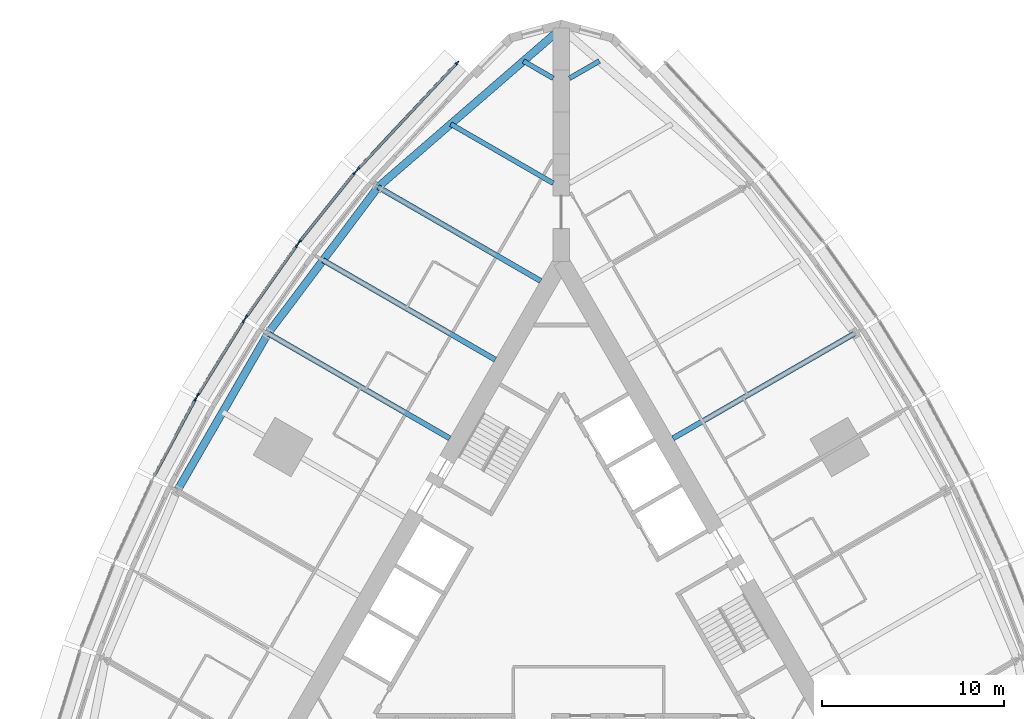
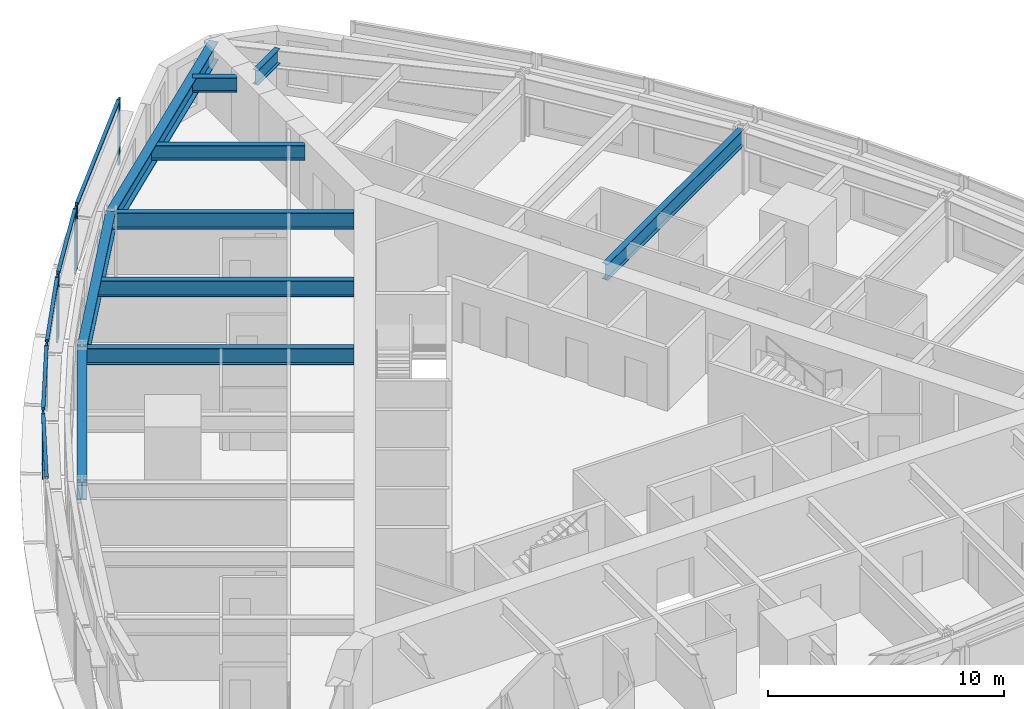
# One storey, part 4 of 14: 14 members, 10 beams, 5 elements without a shape of their own.
"""IFC4 building model written with IfcOpenShell, lengths in metres."""

from ifc_helpers import new_model, si_unit, direction, frame, origin, origin_2d, place, context, subcontext, project, spatial, rectangle, i_section, extrude, material, material_profile, profile_set, type_object, element, aggregate, save


model = new_model("IFC4")

# Units and contexts
model_context = context("Model", 3, precision=1e-05, world=origin(), true_north=direction((0.0, 1.0)))
body_context = subcontext(model_context, "Body", "Model", "MODEL_VIEW")
ifc_project = project(units=[si_unit("LENGTHUNIT", "METRE"), si_unit("AREAUNIT", "SQUARE_METRE"), si_unit("VOLUMEUNIT", "CUBIC_METRE"), si_unit("PLANEANGLEUNIT", "RADIAN"), si_unit("MASSUNIT", "GRAM", prefix="KILO")], contexts=[model_context])

# Site, building, storey
site_placement = place(None, origin())
site = spatial("IfcSite", under=ifc_project, at=site_placement, CompositionType="ELEMENT")
building_placement = place(site_placement, origin())
building = spatial("IfcBuilding", under=site, at=building_placement, Name="Trikona Tower", CompositionType="ELEMENT")
storey_placement = place(building_placement, frame((0.0, 0.0, 65.89990234375)))
storey = spatial("IfcBuildingStorey", under=building, at=storey_placement, Name="L16", CompositionType="ELEMENT", Elevation=65.89990234375)

# Curtain wall, members
ifc_material_1 = material(Name="Aluminium curtain wall system", Category="aluminium")
curtain_wall_type = type_object("IfcCurtainWallType", Name="Curtain wall DS1", PredefinedType="NOTDEFINED", material=ifc_material_1)
curtain_wall_1_placement = place(storey_placement, origin())
curtain_wall_1 = element("IfcCurtainWall", 1, at=curtain_wall_1_placement, inside=storey, type_object=curtain_wall_type, Name="Curtain wall DS1 L16", PredefinedType="NOTDEFINED")
ifc_material_2 = material(Name="Aluminium mullion, pale anodised", Category="aluminium")
ifc_material_profile_1 = material_profile(ifc_material_2, rectangle(XDim=0.080078125, YDim=0.219970703125, at=origin_2d()), Name="MUL-DS1")
ifc_profile_set_1 = profile_set([ifc_material_profile_1], Name="Aluminium mullion, pale anodised")
member_type_1 = type_object("IfcMemberType", Name="Mullion DS1 80x220", PredefinedType="MULLION", material=ifc_profile_set_1)
member_1_placement = place(storey_placement, frame((-5.72607421875, 29.98583984375, 0.0), z_axis=(0.0, 0.0, 1.0), x_axis=(0.731076639405, -0.682295351967, 0.0)))
member_1 = element("IfcMember", 2, at=member_1_placement, type_object=member_type_1, Name="CW-DS1 mullion 1", PredefinedType="MULLION", context=body_context, shape_type="SweptSolid", body=[
    extrude(rectangle(XDim=0.080078125, YDim=0.219970703125, at=origin_2d()), origin(), (0.0, 0.0, 1.0), 3.400146484375),
])
member_2_placement = place(storey_placement, frame((-11.192138671875, 24.129150390625, 0.0), z_axis=(0.0, 0.0, 1.0), x_axis=(0.731076639405, -0.682295351967, 0.0)))
member_2 = element("IfcMember", 3, at=member_2_placement, type_object=member_type_1, Name="CW-DS1 mullion 2", PredefinedType="MULLION", context=body_context, shape_type="SweptSolid", body=[
    extrude(rectangle(XDim=0.080078125, YDim=0.219970703125, at=origin_2d()), origin(), (0.0, 0.0, 1.0), 3.400146484375),
])

curtain_wall_2_placement = place(storey_placement, origin())
curtain_wall_2 = element("IfcCurtainWall", 4, at=curtain_wall_2_placement, inside=storey, type_object=curtain_wall_type, Name="Curtain wall DS1 L16", PredefinedType="NOTDEFINED")
member_3_placement = place(storey_placement, frame((-11.36767578125, 23.926025390625, 0.0), z_axis=(0.0, 0.0, 1.0), x_axis=(0.780937959679, -0.624608599951, 0.0)))
member_3 = element("IfcMember", 5, at=member_3_placement, type_object=member_type_1, Name="CW-DS1 mullion 1", PredefinedType="MULLION", context=body_context, shape_type="SweptSolid", body=[
    extrude(rectangle(XDim=0.080078125, YDim=0.219970703125, at=origin_2d()), origin(), (0.0, 0.0, 1.0), 3.400146484375),
])
member_4_placement = place(storey_placement, frame((-14.40185546875, 20.13232421875, 0.0), z_axis=(0.0, 0.0, 1.0), x_axis=(0.780937959679, -0.624608599951, 0.0)))
member_4 = element("IfcMember", 6, at=member_4_placement, type_object=member_type_1, Name="CW-DS1 mullion 2", PredefinedType="MULLION", context=body_context, shape_type="SweptSolid", body=[
    extrude(rectangle(XDim=0.080078125, YDim=0.219970703125, at=origin_2d()), origin(), (0.0, 0.0, 1.0), 3.400146484375),
])

curtain_wall_3_placement = place(storey_placement, origin())
curtain_wall_3 = element("IfcCurtainWall", 7, at=curtain_wall_3_placement, inside=storey, type_object=curtain_wall_type, Name="Curtain wall DS1 L16", PredefinedType="NOTDEFINED")
member_5_placement = place(storey_placement, frame((-14.554443359375, 19.929443359375, 0.0), z_axis=(0.0, 0.0, 1.0), x_axis=(0.816985393055, -0.576658362928, 0.0)))
member_5 = element("IfcMember", 8, at=member_5_placement, type_object=member_type_1, Name="CW-DS1 mullion 1", PredefinedType="MULLION", context=body_context, shape_type="SweptSolid", body=[
    extrude(rectangle(XDim=0.080078125, YDim=0.219970703125, at=origin_2d()), origin(), (0.0, 0.0, 1.0), 3.400146484375),
])
member_6_placement = place(storey_placement, frame((-17.33447265625, 15.990966796875, 0.0), z_axis=(0.0, 0.0, 1.0), x_axis=(0.816985393055, -0.576658362928, 0.0)))
member_6 = element("IfcMember", 9, at=member_6_placement, type_object=member_type_1, Name="CW-DS1 mullion 2", PredefinedType="MULLION", context=body_context, shape_type="SweptSolid", body=[
    extrude(rectangle(XDim=0.080078125, YDim=0.219970703125, at=origin_2d()), origin(), (0.0, 0.0, 1.0), 3.400146484375),
])

curtain_wall_4_placement = place(storey_placement, origin())
curtain_wall_4 = element("IfcCurtainWall", 10, at=curtain_wall_4_placement, inside=storey, type_object=curtain_wall_type, Name="Curtain wall DS1 L16", PredefinedType="NOTDEFINED")
member_7_placement = place(storey_placement, frame((-17.474853515625, 15.77880859375, 0.0), z_axis=(0.0, 0.0, 1.0), x_axis=(0.850410468941, -0.526119790842, 0.0)))
member_7 = element("IfcMember", 11, at=member_7_placement, type_object=member_type_1, Name="CW-DS1 mullion 1", PredefinedType="MULLION", context=body_context, shape_type="SweptSolid", body=[
    extrude(rectangle(XDim=0.080078125, YDim=0.219970703125, at=origin_2d()), origin(), (0.0, 0.0, 1.0), 3.400146484375),
])
member_8_placement = place(storey_placement, frame((-20.00146484375, 11.69482421875, 0.0), z_axis=(0.0, 0.0, 1.0), x_axis=(0.850410468941, -0.526119790842, 0.0)))
member_8 = element("IfcMember", 12, at=member_8_placement, type_object=member_type_1, Name="CW-DS1 mullion 2", PredefinedType="MULLION", context=body_context, shape_type="SweptSolid", body=[
    extrude(rectangle(XDim=0.080078125, YDim=0.219970703125, at=origin_2d()), origin(), (0.0, 0.0, 1.0), 3.400146484375),
])

# Curtain wall, member
curtain_wall_5_placement = place(storey_placement, origin())
curtain_wall_5 = element("IfcCurtainWall", 13, at=curtain_wall_5_placement, inside=storey, type_object=curtain_wall_type, Name="Curtain wall DS1 L16", PredefinedType="NOTDEFINED")
member_9_placement = place(storey_placement, frame((-20.128662109375, 11.474365234375, 0.0), z_axis=(0.0, 0.0, 1.0), x_axis=(0.880843080975, -0.473408350896, 0.0)))
member_9 = element("IfcMember", 14, at=member_9_placement, type_object=member_type_1, Name="CW-DS1 mullion 1", PredefinedType="MULLION", context=body_context, shape_type="SweptSolid", body=[
    extrude(rectangle(XDim=0.080078125, YDim=0.219970703125, at=origin_2d()), origin(), (0.0, 0.0, 1.0), 3.400146484375),
])

# Beams
ifc_material_3 = material(Name="Steel ASTM A992 Grade 50", Category="steel")
ifc_material_profile_2 = material_profile(ifc_material_3, i_section(OverallWidth=0.2666015625, OverallDepth=0.76953125, WebThickness=0.015625, FlangeThickness=0.025390625, at=origin_2d()), Name="W30X132")
ifc_profile_set_2 = profile_set([ifc_material_profile_2], Name="Steel ASTM A992 Grade 50")
beam_type_1 = type_object("IfcBeamType", Name="Steel beam W30x132 (wedge)", PredefinedType="BEAM", material=ifc_profile_set_2)
for number, where, z_axis, x_axis, name in (
    (15, (0.449951171875, 29.127197265625, 2.850341796875), (0.866009237431, 0.5000279999, 0.0), (-0.5000279999, 0.866009237431, 0.0), "Floor beam L17 F2 u25"),
    (16, (-0.449951171875, 29.127197265625, 2.850341796875), (-0.866009237431, 0.5000279999, 0.0), (-0.5000279999, -0.866009237431, 0.0), "Floor beam L17 F3 u-25"),
):
    element("IfcBeam", number, at=place(storey_placement, frame(where, z_axis=z_axis, x_axis=x_axis)), inside=storey, type_object=beam_type_1, Name=name, PredefinedType="BEAM", context=body_context, shape_type="SweptSolid", body=[
        extrude(i_section(OverallWidth=0.2666015625, OverallDepth=0.76953125, WebThickness=0.015625, FlangeThickness=0.025390625, at=origin_2d()), origin(), (0.0, 0.0, 1.0), 1.890625),
    ])
beam_1_placement = place(storey_placement, frame((-0.449951171875, 23.353759765625, 2.850341796875), z_axis=(-0.866022504693, 0.50000502134, 0.0), x_axis=(-0.50000502134, -0.866022504693, 0.0)))
element("IfcBeam", 17, at=beam_1_placement, inside=storey, type_object=beam_type_1, Name="Floor beam L17 F3 u-20", PredefinedType="BEAM", context=body_context, shape_type="SweptSolid", body=[
    extrude(i_section(OverallWidth=0.2666015625, OverallDepth=0.76953125, WebThickness=0.015625, FlangeThickness=0.025390625, at=origin_2d()), origin(), (0.0, 0.0, 1.0), 6.5068359375),
])
ifc_material_4 = material(Name="Steel ASTM A992 Grade 50", Category="steel")
ifc_material_profile_3 = material_profile(ifc_material_4, i_section(OverallWidth=0.2919921875, OverallDepth=0.845703125, WebThickness=0.015380859375, FlangeThickness=0.0244140625, at=origin_2d()), Name="W33X141")
ifc_profile_set_3 = profile_set([ifc_material_profile_3], Name="Steel ASTM A992 Grade 50")
beam_type_2 = type_object("IfcBeamType", Name="Steel beam W33x141 (radial typ)", PredefinedType="BEAM", material=ifc_profile_set_3)
beam_2_placement = place(storey_placement, frame((6.1396484375, 9.318359375, 2.812255859375), z_axis=(0.866029923217, 0.499992172032, 0.0), x_axis=(-0.499992172032, 0.866029923217, 0.0)))
element("IfcBeam", 18, at=beam_2_placement, inside=storey, type_object=beam_type_2, Name="Floor beam L17 F2 u5", PredefinedType="BEAM", context=body_context, shape_type="SweptSolid", body=[
    extrude(i_section(OverallWidth=0.2919921875, OverallDepth=0.845703125, WebThickness=0.015380859375, FlangeThickness=0.0244140625, at=origin_2d()), origin(), (0.0, 0.0, 1.0), 11.544189453125),
])
beam_3_placement = place(storey_placement, frame((-1.1396484375, 17.978515625, 2.812255859375), z_axis=(-0.866030471684, 0.499991222037, 0.0), x_axis=(-0.499991222037, -0.866030471684, 0.0)))
element("IfcBeam", 19, at=beam_3_placement, inside=storey, type_object=beam_type_2, Name="Floor beam L17 F3 u-15", PredefinedType="BEAM", context=body_context, shape_type="SweptSolid", body=[
    extrude(i_section(OverallWidth=0.2919921875, OverallDepth=0.845703125, WebThickness=0.015380859375, FlangeThickness=0.0244140625, at=origin_2d()), origin(), (0.0, 0.0, 1.0), 10.326904296875),
])
beam_4_placement = place(storey_placement, frame((-3.6396484375, 13.6484375, 2.812255859375), z_axis=(-0.866025348605, 0.500000095573, 0.0), x_axis=(-0.500000095573, -0.866025348605, 0.0)))
element("IfcBeam", 20, at=beam_4_placement, inside=storey, type_object=beam_type_2, Name="Floor beam L17 F3 u-10", PredefinedType="BEAM", context=body_context, shape_type="SweptSolid", body=[
    extrude(i_section(OverallWidth=0.2919921875, OverallDepth=0.845703125, WebThickness=0.015380859375, FlangeThickness=0.0244140625, at=origin_2d()), origin(), (0.0, 0.0, 1.0), 10.935546875),
])
beam_5_placement = place(storey_placement, frame((-6.1396484375, 9.318359375, 2.812255859375), z_axis=(-0.866029923217, 0.499992172032, 0.0), x_axis=(-0.499992172032, -0.866029923217, 0.0)))
element("IfcBeam", 21, at=beam_5_placement, inside=storey, type_object=beam_type_2, Name="Floor beam L17 F3 u-5", PredefinedType="BEAM", context=body_context, shape_type="SweptSolid", body=[
    extrude(i_section(OverallWidth=0.2919921875, OverallDepth=0.845703125, WebThickness=0.015380859375, FlangeThickness=0.0244140625, at=origin_2d()), origin(), (0.0, 0.0, 1.0), 11.544189453125),
])
ifc_material_5 = material(Name="Steel ASTM A992 Grade 50", Category="steel")
ifc_material_profile_4 = material_profile(ifc_material_5, i_section(OverallWidth=0.424072265625, OverallDepth=0.947509765625, WebThickness=0.02392578125, FlangeThickness=0.042724609375, at=origin_2d()), Name="W36X302")
ifc_profile_set_4 = profile_set([ifc_material_profile_4], Name="Steel ASTM A992 Grade 50")
beam_type_3 = type_object("IfcBeamType", Name="Steel beam W36x302 (spandrel)", PredefinedType="SPANDREL", material=ifc_profile_set_4)
beam_6_placement = place(storey_placement, frame((0.0, 31.881591796875, 2.761474609375), z_axis=(-0.755646822726, -0.654979296851, 0.0), x_axis=(0.654979296851, -0.755646822726, 0.0)))
element("IfcBeam", 22, at=beam_6_placement, inside=storey, type_object=beam_type_3, Name="Spandrel beam L17 F3-1", PredefinedType="SPANDREL", context=body_context, shape_type="SweptSolid", body=[
    extrude(i_section(OverallWidth=0.424072265625, OverallDepth=0.947509765625, WebThickness=0.02392578125, FlangeThickness=0.042724609375, at=origin_2d()), origin(), (0.0, 0.0, 1.0), 13.343505859375),
])
beam_7_placement = place(storey_placement, frame((-10.0830078125, 23.141845703125, 2.761474609375), z_axis=(-0.600988344191, -0.799257787042, 0.0), x_axis=(0.799257787042, -0.600988344191, 0.0)))
element("IfcBeam", 23, at=beam_7_placement, inside=storey, type_object=beam_type_3, Name="Spandrel beam L17 F3-2", PredefinedType="SPANDREL", context=body_context, shape_type="SweptSolid", body=[
    extrude(i_section(OverallWidth=0.424072265625, OverallDepth=0.947509765625, WebThickness=0.02392578125, FlangeThickness=0.042724609375, at=origin_2d()), origin(), (0.0, 0.0, 1.0), 10.07373046875),
])
beam_8_placement = place(storey_placement, frame((-16.13720703125, 15.09033203125, 2.761474609375), z_axis=(-0.500004234368, -0.866022959057, 0.0), x_axis=(0.866022959057, -0.500004234368, 0.0)))
element("IfcBeam", 24, at=beam_8_placement, inside=storey, type_object=beam_type_3, Name="Spandrel beam L17 F3-3", PredefinedType="SPANDREL", context=body_context, shape_type="SweptSolid", body=[
    extrude(i_section(OverallWidth=0.424072265625, OverallDepth=0.947509765625, WebThickness=0.02392578125, FlangeThickness=0.042724609375, at=origin_2d()), origin(), (0.0, 0.0, 1.0), 10.0),
])

# Member
ifc_material_6 = material(Name="Aluminium transom, pale anodised", Category="aluminium")
ifc_material_profile_5 = material_profile(ifc_material_6, rectangle(XDim=0.159912109375, YDim=0.080078125, at=origin_2d()), Name="TRN-DS1")
ifc_profile_set_5 = profile_set([ifc_material_profile_5], Name="Aluminium transom, pale anodised")
member_type_2 = type_object("IfcMemberType", Name="Transom DS1 80x160", PredefinedType="USERDEFINED", material=ifc_profile_set_5)
member_10_placement = place(storey_placement, frame((-5.75341796875, 29.95654296875, 3.360107421875), z_axis=(-0.682290830921, -0.731080858758, 0.0), x_axis=(0.731080858758, -0.682290830921, 0.0)))
member_10 = element("IfcMember", 25, at=member_10_placement, type_object=member_type_2, Name="CW-DS1 transom 1.1", ObjectType="TRANSOM", PredefinedType="USERDEFINED", context=body_context, shape_type="SweptSolid", body=[
    extrude(rectangle(XDim=0.159912109375, YDim=0.080078125, at=origin_2d()), origin(), (0.0, 0.0, 1.0), 7.93115234375),
])

aggregate(curtain_wall_1, [member_1, member_2, member_10])

member_11_placement = place(storey_placement, frame((-11.392822265625, 23.894775390625, 3.360107421875), z_axis=(-0.624589103832, -0.780953552636, 0.0), x_axis=(0.780953552636, -0.624589103832, 0.0)))
member_11 = element("IfcMember", 26, at=member_11_placement, type_object=member_type_2, Name="CW-DS1 transom 1.1", ObjectType="TRANSOM", PredefinedType="USERDEFINED", context=body_context, shape_type="SweptSolid", body=[
    extrude(rectangle(XDim=0.159912109375, YDim=0.080078125, at=origin_2d()), origin(), (0.0, 0.0, 1.0), 4.77783203125),
])

aggregate(curtain_wall_2, [member_3, member_4, member_11])

member_12_placement = place(storey_placement, frame((-14.57763671875, 19.896728515625, 3.360107421875), z_axis=(-0.57664478015, -0.816994980111, 0.0), x_axis=(0.816994980111, -0.57664478015, 0.0)))
member_12 = element("IfcMember", 27, at=member_12_placement, type_object=member_type_2, Name="CW-DS1 transom 1.1", ObjectType="TRANSOM", PredefinedType="USERDEFINED", context=body_context, shape_type="SweptSolid", body=[
    extrude(rectangle(XDim=0.159912109375, YDim=0.080078125, at=origin_2d()), origin(), (0.0, 0.0, 1.0), 4.740478515625),
])

aggregate(curtain_wall_3, [member_5, member_6, member_12])

member_13_placement = place(storey_placement, frame((-17.495849609375, 15.744873046875, 3.360107421875), z_axis=(-0.526080502257, -0.850434774186, 0.0), x_axis=(0.850434774186, -0.526080502257, 0.0)))
member_13 = element("IfcMember", 28, at=member_13_placement, type_object=member_type_2, Name="CW-DS1 transom 1.1", ObjectType="TRANSOM", PredefinedType="USERDEFINED", context=body_context, shape_type="SweptSolid", body=[
    extrude(rectangle(XDim=0.159912109375, YDim=0.080078125, at=origin_2d()), origin(), (0.0, 0.0, 1.0), 4.722412109375),
])

aggregate(curtain_wall_4, [member_7, member_8, member_13])

member_14_placement = place(storey_placement, frame((-20.147705078125, 11.43896484375, 3.360107421875), z_axis=(-0.473427569755, -0.880832751546, 0.0), x_axis=(0.880832751546, -0.473427569755, 0.0)))
member_14 = element("IfcMember", 29, at=member_14_placement, type_object=member_type_2, Name="CW-DS1 transom 1.1", ObjectType="TRANSOM", PredefinedType="USERDEFINED", context=body_context, shape_type="SweptSolid", body=[
    extrude(rectangle(XDim=0.159912109375, YDim=0.080078125, at=origin_2d()), origin(), (0.0, 0.0, 1.0), 4.72216796875),
])

aggregate(curtain_wall_5, [member_9, member_14])

save(model, "model.ifc")
